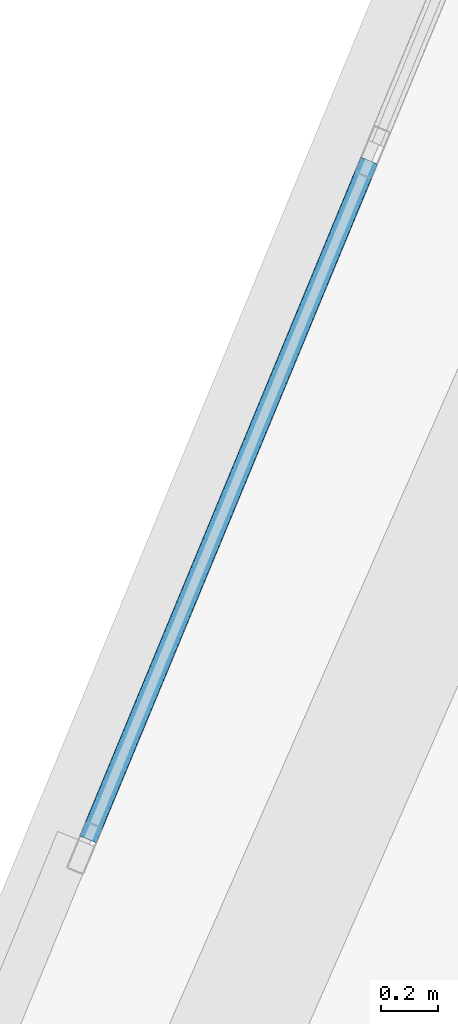
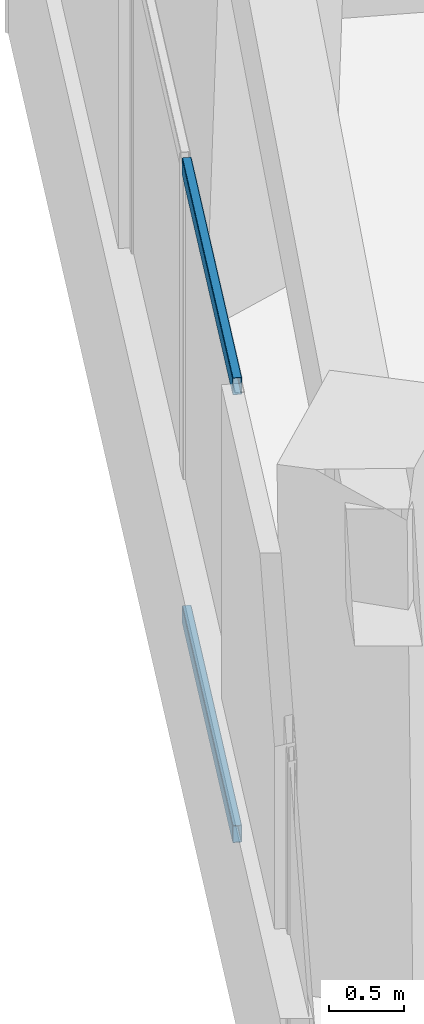
# One storey, part 6 of 23: 2 members, 1 element without a shape of its own.
"""IFC4 building model written with IfcOpenShell, lengths in metres."""

from ifc_helpers import new_model, si_unit, direction, frame, origin, origin_2d, place, context, subcontext, project, spatial, hollow_rectangle, extrude, source, transform, mapped, material, material_profile, profile_set, type_object, element, aggregate, save


model = new_model("IFC4")

# Units and contexts
model_context = context("Model", 3, precision=1e-05, world=origin(), true_north=direction((0.0, 1.0)))
body_context = subcontext(model_context, "Body", "Model", "MODEL_VIEW")
ifc_project = project(units=[si_unit("LENGTHUNIT", "METRE"), si_unit("AREAUNIT", "SQUARE_METRE"), si_unit("VOLUMEUNIT", "CUBIC_METRE"), si_unit("PLANEANGLEUNIT", "RADIAN"), si_unit("MASSUNIT", "GRAM", prefix="KILO")], contexts=[model_context])

# Site, building, storey
site_placement = place(None, origin())
site = spatial("IfcSite", under=ifc_project, at=site_placement, CompositionType="ELEMENT")
building_placement = place(site_placement, origin())
building = spatial("IfcBuilding", under=site, at=building_placement, Name="Torre Montelarca", CompositionType="ELEMENT")
storey_placement = place(building_placement, frame((0.0, 0.0, 145.60009765625)))
storey = spatial("IfcBuildingStorey", under=building, at=storey_placement, Name="L32", CompositionType="ELEMENT", Elevation=145.60009765625)

# Curtain wall, members
ifc_material_1 = material(Name="Insulated low-E laminated glass", Category="glass")
curtain_wall_type = type_object("IfcCurtainWallType", Name="CW-SYS-Z2", PredefinedType="USERDEFINED", material=ifc_material_1)
curtain_wall_placement = place(storey_placement, origin())
curtain_wall = element("IfcCurtainWall", 1, at=curtain_wall_placement, inside=storey, type_object=curtain_wall_type, Name="L32 Curtain Wall Run CW-T3-L32-E10-B1", ObjectType="UNITISED GLAZING", PredefinedType="USERDEFINED")
ifc_material_2 = material(Name="Anodised aluminium AA 6063-T6", Category="aluminium")
ifc_material_profile = material_profile(ifc_material_2, hollow_rectangle(XDim=0.06494140625, YDim=0.139892578125, WallThickness=0.00390625, InnerFilletRadius=0.00390625, OuterFilletRadius=0.008056640625, at=origin_2d()), Name="ALU65X140X4", Category="aluminium")
ifc_profile_set = profile_set([ifc_material_profile], Name="Anodised aluminium AA 6063-T6")
member_type = type_object("IfcMemberType", Name="CWT-ALU140", PredefinedType="USERDEFINED", material=ifc_profile_set)
shared_shape = source(origin(), body_context, "Body", "SweptSolid", [
    extrude(hollow_rectangle(XDim=0.06494140625, YDim=0.139892578125, WallThickness=0.00390625, InnerFilletRadius=0.00390625, OuterFilletRadius=0.008056640625, at=origin_2d()), origin(), (0.0, 0.0, 1.0), 2.5888671875),
])
member_1_placement = place(storey_placement, frame((6.85595703125, 42.55908203125, 0.032470703125), z_axis=(-0.382598889139, -0.92391454693, 0.0), x_axis=(0.92391454693, -0.382598889139, 0.0)))
member_1 = element("IfcMember", 2, at=member_1_placement, type_object=member_type, Name="CW transom 2.1", ObjectType="TRANSOM", PredefinedType="USERDEFINED", context=body_context, shape_type="MappedRepresentation", body=[
    mapped(shared_shape, transform((0.0, 0.0, 0.0), scale=1.0)),
])
member_2_placement = place(storey_placement, frame((6.85595703125, 42.55908203125, 3.6875), z_axis=(-0.382598889139, -0.92391454693, 0.0), x_axis=(0.92391454693, -0.382598889139, 0.0)))
member_2 = element("IfcMember", 3, at=member_2_placement, type_object=member_type, Name="CW transom 2.2", ObjectType="TRANSOM", PredefinedType="USERDEFINED", context=body_context, shape_type="MappedRepresentation", body=[
    mapped(shared_shape, transform((0.0, 0.0, 0.0), scale=1.0)),
])
aggregate(curtain_wall, [member_1, member_2])

save(model, "model.ifc")
